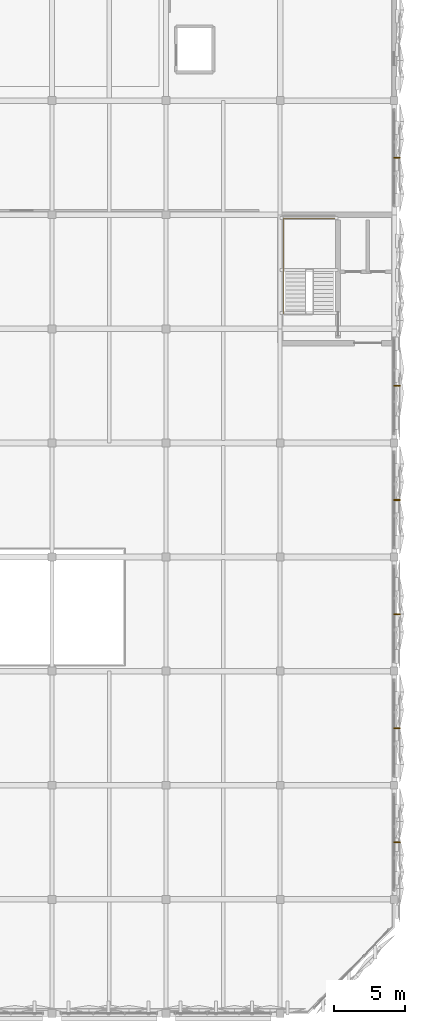
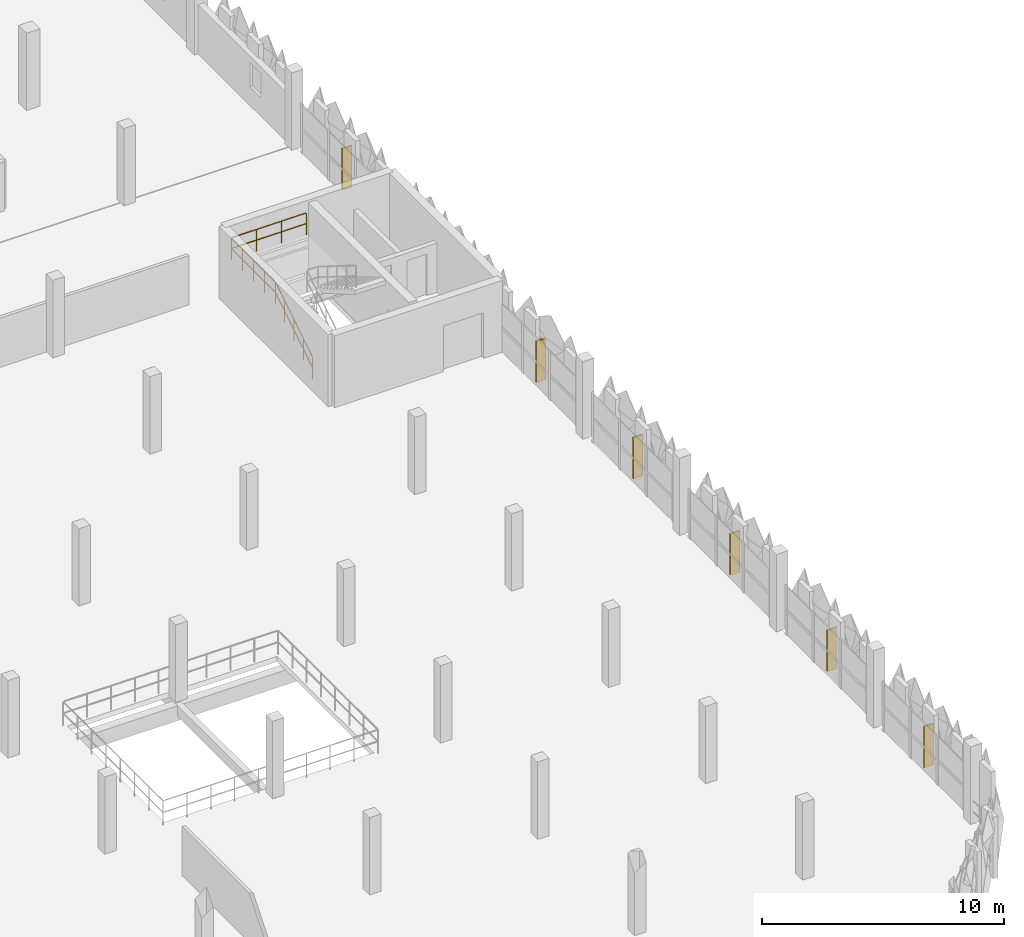
# One storey, part 92 of 96: 6 shading devices, 1 railing.
"""IFC4 building model written with IfcOpenShell, lengths in metres."""

from ifc_helpers import new_model, si_unit, derived_unit, direction, frame, origin, origin_2d, place, context, subcontext, project, spatial, rectangle, circle, extrude, material, material_profile, profile_set, type_object, element, save


model = new_model("IFC4")

# Units and contexts
model_context = context("Model", 3, precision=1e-05, world=origin(), true_north=direction((0.0, 1.0)))
body_context = subcontext(model_context, "Body", "Model", "MODEL_VIEW")
ifc_project = project(units=[si_unit("LENGTHUNIT", "METRE"), si_unit("AREAUNIT", "SQUARE_METRE"), si_unit("VOLUMEUNIT", "CUBIC_METRE"), si_unit("PLANEANGLEUNIT", "RADIAN"), si_unit("MASSUNIT", "GRAM", prefix="KILO"), si_unit("THERMODYNAMICTEMPERATUREUNIT", "KELVIN"), derived_unit("THERMALTRANSMITTANCEUNIT", [(si_unit("POWERUNIT", "WATT"), 1), (si_unit("AREAUNIT", "SQUARE_METRE"), -1), (si_unit("THERMODYNAMICTEMPERATUREUNIT", "KELVIN"), -1)])], contexts=[model_context])

# Site, building, storey
site_placement = place(None, origin())
site = spatial("IfcSite", under=ifc_project, at=site_placement, CompositionType="ELEMENT")
building_placement = place(site_placement, origin())
building = spatial("IfcBuilding", under=site, at=building_placement, Name="Haiyu Intermodal Mobility Hub", CompositionType="ELEMENT")
storey_placement = place(building_placement, frame((0.0, 0.0, 9.5)))
storey = spatial("IfcBuildingStorey", under=building, at=storey_placement, Name="L02", CompositionType="ELEMENT", Elevation=9.5)

# Railing
ifc_material_1 = material(Name="Steel Q355C", Category="steel")
railing_type = type_object("IfcRailingType", Name="RAL-GR03", PredefinedType="GUARDRAIL", material=ifc_material_1)
railing_placement = place(storey_placement, frame((202.25, 65.050048828125, 0.0)))
element("IfcRailing", 1, at=railing_placement, inside=storey, type_object=railing_type, Name="Stair Outer Guard STR-C9-L02", PredefinedType="GUARDRAIL", context=body_context, shape_type="SweptSolid", body=[
    extrude(circle(Radius=0.02392578125, at=origin_2d()), frame((0.0, 0.025390625, 1.112060546875), z_axis=(0.0, 0.844894753029, 0.534932571736), x_axis=(-1.0, 0.0, 0.0)), (0.0, 0.0, 1.0), 3.585205078125),
    extrude(circle(Radius=0.02392578125, at=origin_2d()), frame((0.0, 0.031494140625, 0.580078125), z_axis=(0.0, 0.844894753029, 0.534932571736), x_axis=(-1.0, 0.0, 0.0)), (0.0, 0.0, 1.0), 0.836669921875),
    extrude(circle(Radius=0.02392578125, at=origin_2d()), frame((0.0, 0.801513671875, 1.0673828125), z_axis=(0.0, 0.844894753029, 0.534932571736), x_axis=(-1.0, 0.0, 0.0)), (0.0, 0.0, 1.0), 0.836669921875),
    extrude(circle(Radius=0.02392578125, at=origin_2d()), frame((0.0, 1.571533203125, 1.554931640625), z_axis=(0.0, 0.844894753029, 0.534932571736), x_axis=(-1.0, 0.0, 0.0)), (0.0, 0.0, 1.0), 0.836669921875),
    extrude(circle(Radius=0.02392578125, at=origin_2d()), frame((0.0, 2.34130859375, 2.04248046875), z_axis=(0.0, 0.844894753029, 0.534932571736), x_axis=(-1.0, 0.0, 0.0)), (0.0, 0.0, 1.0), 0.836669921875),
    extrude(circle(Radius=0.02392578125, at=origin_2d()), frame((0.0, 3.10986328125, 3.0458984375), z_axis=(0.0, 1.0, 0.0), x_axis=(-1.0, 0.0, 0.0)), (0.0, 0.0, 1.0), 3.570068359375),
    extrude(circle(Radius=0.02392578125, at=origin_2d()), frame((0.0, 3.1171875, 2.510009765625), z_axis=(0.0, 1.0, 0.0), x_axis=(-1.0, 0.0, 0.0)), (0.0, 0.0, 1.0), 0.8330078125),
    extrude(circle(Radius=0.02392578125, at=origin_2d()), frame((0.0, 4.024658203125, 2.510009765625), z_axis=(0.0, 1.0, 0.0), x_axis=(-1.0, 0.0, 0.0)), (0.0, 0.0, 1.0), 0.8330078125),
    extrude(circle(Radius=0.02392578125, at=origin_2d()), frame((0.0, 4.93212890625, 2.510009765625), z_axis=(0.0, 1.0, 0.0), x_axis=(-1.0, 0.0, 0.0)), (0.0, 0.0, 1.0), 0.8330078125),
    extrude(circle(Radius=0.02392578125, at=origin_2d()), frame((0.0, 5.83984375, 2.510009765625), z_axis=(0.0, 1.0, 0.0), x_axis=(-1.0, 0.0, 0.0)), (0.0, 0.0, 1.0), 0.8330078125),
    extrude(circle(Radius=0.02392578125, at=origin_2d()), frame((0.030029296875, 6.7099609375, 3.0458984375), z_axis=(1.0, 0.0, 0.0), x_axis=(0.0, 1.0, 0.0)), (0.0, 0.0, 1.0), 3.52001953125),
    extrude(circle(Radius=0.02392578125, at=origin_2d()), frame((0.037353515625, 6.7099609375, 2.510009765625), z_axis=(1.0, 0.0, 0.0), x_axis=(0.0, 1.0, 0.0)), (0.0, 0.0, 1.0), 1.11865234375),
    extrude(circle(Radius=0.02392578125, at=origin_2d()), frame((1.230712890625, 6.7099609375, 2.510009765625), z_axis=(1.0, 0.0, 0.0), x_axis=(0.0, 1.0, 0.0)), (0.0, 0.0, 1.0), 1.11865234375),
    extrude(circle(Radius=0.02392578125, at=origin_2d()), frame((2.424072265625, 6.7099609375, 2.510009765625), z_axis=(1.0, 0.0, 0.0), x_axis=(0.0, 1.0, 0.0)), (0.0, 0.0, 1.0), 1.11865234375),
    extrude(circle(Radius=0.02099609375, at=origin_2d()), origin(), (0.0, 0.0, 1.0), 1.06396484375),
    extrude(circle(Radius=0.02099609375, at=origin_2d()), frame((0.0, 0.77001953125, 0.487548828125)), (0.0, 0.0, 1.0), 1.06396484375),
    extrude(circle(Radius=0.02099609375, at=origin_2d()), frame((0.0, 1.5400390625, 0.97509765625)), (0.0, 0.0, 1.0), 1.06396484375),
    extrude(circle(Radius=0.02099609375, at=origin_2d()), frame((0.0, 2.309814453125, 1.46240234375)), (0.0, 0.0, 1.0), 1.06396484375),
    extrude(circle(Radius=0.02099609375, at=origin_2d()), frame((0.0, 3.079833984375, 1.949951171875)), (0.0, 0.0, 1.0), 1.06396484375),
    extrude(circle(Radius=0.02099609375, at=origin_2d()), frame((0.0, 3.9873046875, 1.949951171875)), (0.0, 0.0, 1.0), 1.06396484375),
    extrude(circle(Radius=0.02099609375, at=origin_2d()), frame((0.0, 4.89501953125, 1.949951171875)), (0.0, 0.0, 1.0), 1.06396484375),
    extrude(circle(Radius=0.02099609375, at=origin_2d()), frame((0.0, 5.802490234375, 1.949951171875)), (0.0, 0.0, 1.0), 1.06396484375),
    extrude(circle(Radius=0.02099609375, at=origin_2d()), frame((0.0, 6.7099609375, 1.949951171875)), (0.0, 0.0, 1.0), 1.06396484375),
    extrude(circle(Radius=0.02099609375, at=origin_2d()), frame((1.193359375, 6.7099609375, 1.949951171875)), (0.0, 0.0, 1.0), 1.06396484375),
    extrude(circle(Radius=0.02099609375, at=origin_2d()), frame((2.38671875, 6.7099609375, 1.949951171875)), (0.0, 0.0, 1.0), 1.06396484375),
    extrude(circle(Radius=0.02099609375, at=origin_2d()), frame((3.580078125, 6.7099609375, 1.949951171875)), (0.0, 0.0, 1.0), 1.06396484375),
])

# Shading devices
ifc_material_2 = material(Name="Anodised aluminium 6063-T6", Category="aluminium")
ifc_material_profile = material_profile(ifc_material_2, rectangle(XDim=0.070068359375, YDim=0.550048828125, at=origin_2d()), Name="FIN70x550")
ifc_profile_set = profile_set([ifc_material_profile], Name="Anodised aluminium 6063-T6")
shading_device_type = type_object("IfcShadingDeviceType", Name="SHD-SD02", PredefinedType="AWNING", material=ifc_profile_set)
for number, where, z_axis, x_axis, name in (
    (2, (210.199951171875, 28.0, 0.199951171875), (0.0, 0.0, 1.0), (1.0, 0.0, 0.0), "SHD-V5E-038"),
    (3, (210.199951171875, 36.0, 0.199951171875), (0.0, 0.0, 1.0), (1.0, 0.0, 0.0), "SHD-V5E-039"),
    (4, (210.199951171875, 44.0, 0.199951171875), (0.0, 0.0, 1.0), (1.0, 0.0, 0.0), "SHD-V5E-040"),
    (5, (210.199951171875, 52.0, 0.199951171875), (0.0, 0.0, 1.0), (1.0, 0.0, 0.0), "SHD-V5E-041"),
    (6, (210.199951171875, 60.0, 0.199951171875), (0.0, 0.0, 1.0), (1.0, 0.0, 0.0), "SHD-V5E-042"),
    (7, (210.199951171875, 76.0, 0.199951171875), (0.0, 0.0, 1.0), (1.0, 0.0, 0.0), "SHD-V5E-043"),
):
    element("IfcShadingDevice", number, at=place(storey_placement, frame(where, z_axis=z_axis, x_axis=x_axis)), inside=storey, type_object=shading_device_type, Name=name, PredefinedType="AWNING", context=body_context, shape_type="SweptSolid", body=[
        extrude(rectangle(XDim=0.449951171875, YDim=0.080078125, at=origin_2d()), origin(), (0.0, 0.0, 1.0), 2.080078125),
    ])

save(model, "model.ifc")
